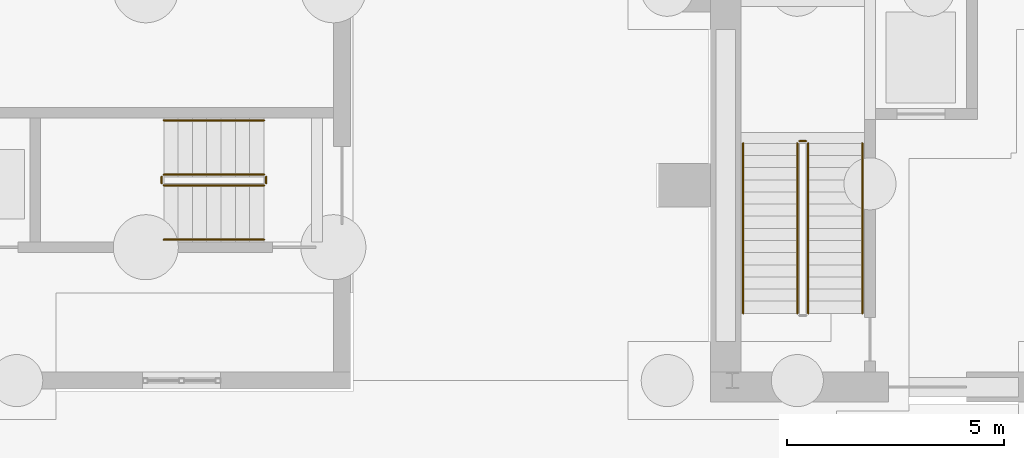
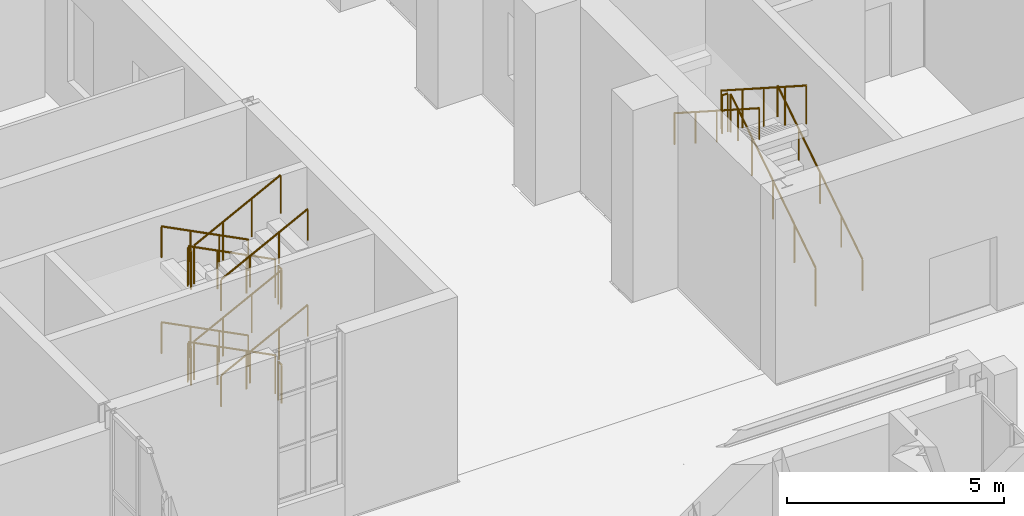
# One storey, part 146 of 168: 17 railings.
"""IFC4 building model written with IfcOpenShell, lengths in metres."""

from ifc_helpers import new_model, si_unit, direction, frame, origin, origin_2d, place, context, subcontext, project, spatial, circle, extrude, material, type_object, element, save


model = new_model("IFC4")

# Units and contexts
model_context = context("Model", 3, precision=1e-05, world=origin(), true_north=direction((0.0, 1.0)))
body_context = subcontext(model_context, "Body", "Model", "MODEL_VIEW")
ifc_project = project(units=[si_unit("LENGTHUNIT", "METRE"), si_unit("AREAUNIT", "SQUARE_METRE"), si_unit("VOLUMEUNIT", "CUBIC_METRE"), si_unit("PLANEANGLEUNIT", "RADIAN"), si_unit("MASSUNIT", "GRAM", prefix="KILO")], contexts=[model_context])

# Site, building, storey
site_placement = place(None, origin())
site = spatial("IfcSite", under=ifc_project, at=site_placement, CompositionType="ELEMENT")
building_placement = place(site_placement, origin())
building = spatial("IfcBuilding", under=site, at=building_placement, Name="Golden Quay Civic Hall", CompositionType="ELEMENT")
storey_placement = place(building_placement, origin())
storey = spatial("IfcBuildingStorey", under=building, at=storey_placement, Name="L00", CompositionType="ELEMENT", Elevation=0.0)

# Railings
ifc_material_1 = material(Name="Steel S355", Category="steel")
railing_type_1 = type_object("IfcRailingType", Name="Steel guard 1100", PredefinedType="GUARDRAIL", material=ifc_material_1)
railing_1_placement = place(storey_placement, frame((106.199951171875, 67.75, 0.168701171875)))
element("IfcRailing", 1, at=railing_1_placement, inside=storey, type_object=railing_type_1, Name="L00 CB-SE stair guard 1", PredefinedType="GUARDRAIL", context=body_context, shape_type="SweptSolid", body=[
    extrude(circle(Radius=0.02392578125, at=origin_2d()), frame((0.0, 0.0, 1.076171875), z_axis=(-0.89032534587, 0.0, 0.45532491531), x_axis=(0.0, -1.0, 0.0)), (0.0, 0.0, 1.0), 2.5947265625),
    extrude(circle(Radius=0.02099609375, at=origin_2d()), origin(), (0.0, 0.0, 1.0), 1.052001953125),
    extrude(circle(Radius=0.02099609375, at=origin_2d()), frame((-0.77001953125, 0.0, 0.393798828125)), (0.0, 0.0, 1.0), 1.052001953125),
    extrude(circle(Radius=0.02099609375, at=origin_2d()), frame((-1.5400390625, 0.0, 0.78759765625)), (0.0, 0.0, 1.0), 1.052001953125),
    extrude(circle(Radius=0.02099609375, at=origin_2d()), frame((-2.31005859375, 0.0, 1.181396484375)), (0.0, 0.0, 1.0), 1.052001953125),
])
railing_2_placement = place(storey_placement, frame((103.840087890625, 67.699951171875, 1.35009765625)))
element("IfcRailing", 2, at=railing_2_placement, inside=storey, type_object=railing_type_1, Name="L00 CB-SE stair guard 2", PredefinedType="GUARDRAIL", context=body_context, shape_type="SweptSolid", body=[
    extrude(circle(Radius=0.02392578125, at=origin_2d()), frame((0.0, 0.0, 1.076171875), z_axis=(0.0, -1.0, 0.0), x_axis=(1.0, 0.0, 0.0)), (0.0, 0.0, 1.0), 0.14990234375),
    extrude(circle(Radius=0.02099609375, at=origin_2d()), origin(), (0.0, 0.0, 1.0), 1.052001953125),
    extrude(circle(Radius=0.02099609375, at=origin_2d()), frame((0.0, -0.14990234375, 0.0)), (0.0, 0.0, 1.0), 1.052001953125),
])
railing_3_placement = place(storey_placement, frame((103.889892578125, 67.5, 1.518798828125)))
element("IfcRailing", 3, at=railing_3_placement, inside=storey, type_object=railing_type_1, Name="L00 CB-SE stair guard 3", PredefinedType="GUARDRAIL", context=body_context, shape_type="SweptSolid", body=[
    extrude(circle(Radius=0.02392578125, at=origin_2d()), frame((0.0, 0.0, 1.076171875), z_axis=(0.890363489232, 0.0, 0.455250323495), x_axis=(0.0, 1.0, 0.0)), (0.0, 0.0, 1.0), 2.594482421875),
    extrude(circle(Radius=0.02099609375, at=origin_2d()), origin(), (0.0, 0.0, 1.0), 1.052001953125),
    extrude(circle(Radius=0.02099609375, at=origin_2d()), frame((0.77001953125, 0.0, 0.393798828125)), (0.0, 0.0, 1.0), 1.052001953125),
    extrude(circle(Radius=0.02099609375, at=origin_2d()), frame((1.5400390625, 0.0, 0.787353515625)), (0.0, 0.0, 1.0), 1.052001953125),
    extrude(circle(Radius=0.02099609375, at=origin_2d()), frame((2.31005859375, 0.0, 1.18115234375)), (0.0, 0.0, 1.0), 1.052001953125),
])
railing_4_placement = place(storey_placement, frame((106.25, 67.699951171875, 2.699951171875)))
element("IfcRailing", 4, at=railing_4_placement, inside=storey, type_object=railing_type_1, Name="L00 CB-SE stair guard 4", PredefinedType="GUARDRAIL", context=body_context, shape_type="SweptSolid", body=[
    extrude(circle(Radius=0.02392578125, at=origin_2d()), frame((0.0, 0.0, 1.076171875), z_axis=(0.0, -1.0, 0.0), x_axis=(1.0, 0.0, 0.0)), (0.0, 0.0, 1.0), 0.14990234375),
    extrude(circle(Radius=0.02099609375, at=origin_2d()), origin(), (0.0, 0.0, 1.0), 1.052001953125),
    extrude(circle(Radius=0.02099609375, at=origin_2d()), frame((0.0, -0.14990234375, 0.0)), (0.0, 0.0, 1.0), 1.052001953125),
])
railing_5_placement = place(storey_placement, frame((106.199951171875, 67.75, 2.86865234375)))
element("IfcRailing", 5, at=railing_5_placement, inside=storey, type_object=railing_type_1, Name="L00 CB-SE stair guard 5", PredefinedType="GUARDRAIL", context=body_context, shape_type="SweptSolid", body=[
    extrude(circle(Radius=0.02392578125, at=origin_2d()), frame((0.0, 0.0, 1.076171875), z_axis=(-0.89032534587, 0.0, 0.45532491531), x_axis=(0.0, -1.0, 0.0)), (0.0, 0.0, 1.0), 2.5947265625),
    extrude(circle(Radius=0.02099609375, at=origin_2d()), origin(), (0.0, 0.0, 1.0), 1.052001953125),
    extrude(circle(Radius=0.02099609375, at=origin_2d()), frame((-0.77001953125, 0.0, 0.393798828125)), (0.0, 0.0, 1.0), 1.052001953125),
    extrude(circle(Radius=0.02099609375, at=origin_2d()), frame((-1.5400390625, 0.0, 0.78759765625)), (0.0, 0.0, 1.0), 1.052001953125),
    extrude(circle(Radius=0.02099609375, at=origin_2d()), frame((-2.31005859375, 0.0, 1.181396484375)), (0.0, 0.0, 1.0), 1.052001953125),
])
railing_6_placement = place(storey_placement, frame((103.840087890625, 67.699951171875, 4.050048828125)))
element("IfcRailing", 6, at=railing_6_placement, inside=storey, type_object=railing_type_1, Name="L00 CB-SE stair guard 6", PredefinedType="GUARDRAIL", context=body_context, shape_type="SweptSolid", body=[
    extrude(circle(Radius=0.02392578125, at=origin_2d()), frame((0.0, 0.0, 1.076171875), z_axis=(0.0, -1.0, 0.0), x_axis=(1.0, 0.0, 0.0)), (0.0, 0.0, 1.0), 0.14990234375),
    extrude(circle(Radius=0.02099609375, at=origin_2d()), origin(), (0.0, 0.0, 1.0), 1.052001953125),
    extrude(circle(Radius=0.02099609375, at=origin_2d()), frame((0.0, -0.14990234375, 0.0)), (0.0, 0.0, 1.0), 1.052001953125),
])
railing_7_placement = place(storey_placement, frame((103.889892578125, 67.5, 4.21875)))
element("IfcRailing", 7, at=railing_7_placement, inside=storey, type_object=railing_type_1, Name="L00 CB-SE stair guard 7", PredefinedType="GUARDRAIL", context=body_context, shape_type="SweptSolid", body=[
    extrude(circle(Radius=0.02392578125, at=origin_2d()), frame((0.0, 0.0, 1.076171875), z_axis=(0.890363489232, 0.0, 0.455250323495), x_axis=(0.0, 1.0, 0.0)), (0.0, 0.0, 1.0), 2.594482421875),
    extrude(circle(Radius=0.02099609375, at=origin_2d()), origin(), (0.0, 0.0, 1.0), 1.052001953125),
    extrude(circle(Radius=0.02099609375, at=origin_2d()), frame((0.77001953125, 0.0, 0.393798828125)), (0.0, 0.0, 1.0), 1.052001953125),
    extrude(circle(Radius=0.02099609375, at=origin_2d()), frame((1.5400390625, 0.0, 0.787353515625)), (0.0, 0.0, 1.0), 1.052001953125),
    extrude(circle(Radius=0.02099609375, at=origin_2d()), frame((2.31005859375, 0.0, 1.18115234375)), (0.0, 0.0, 1.0), 1.052001953125),
])
railing_8_placement = place(storey_placement, frame((106.25, 67.699951171875, 0.0)))
element("IfcRailing", 8, at=railing_8_placement, inside=storey, type_object=railing_type_1, Name="L00 CB-SE stair guard 8", PredefinedType="GUARDRAIL", context=body_context, shape_type="SweptSolid", body=[
    extrude(circle(Radius=0.02392578125, at=origin_2d()), frame((0.0, 0.0, 1.076171875), z_axis=(0.0, -1.0, 0.0), x_axis=(1.0, 0.0, 0.0)), (0.0, 0.0, 1.0), 0.14990234375),
    extrude(circle(Radius=0.02099609375, at=origin_2d()), origin(), (0.0, 0.0, 1.0), 1.052001953125),
    extrude(circle(Radius=0.02099609375, at=origin_2d()), frame((0.0, -0.14990234375, 0.0)), (0.0, 0.0, 1.0), 1.052001953125),
])
railing_9_placement = place(storey_placement, frame((118.75, 64.550048828125, 0.179931640625)))
element("IfcRailing", 9, at=railing_9_placement, inside=storey, type_object=railing_type_1, Name="L00 LB-STW stair guard 1", PredefinedType="GUARDRAIL", context=body_context, shape_type="SweptSolid", body=[
    extrude(circle(Radius=0.02392578125, at=origin_2d()), frame((0.0, 0.0, 1.076171875), z_axis=(0.0, 0.841171666519, 0.540768182723), x_axis=(-1.0, 0.0, 0.0)), (0.0, 0.0, 1.0), 4.66015625),
    extrude(circle(Radius=0.02099609375, at=origin_2d()), origin(), (0.0, 0.0, 1.0), 1.052001953125),
    extrude(circle(Radius=0.02099609375, at=origin_2d()), frame((0.0, 0.97998046875, 0.6298828125)), (0.0, 0.0, 1.0), 1.052001953125),
    extrude(circle(Radius=0.02099609375, at=origin_2d()), frame((0.0, 1.9599609375, 1.260009765625)), (0.0, 0.0, 1.0), 1.052001953125),
    extrude(circle(Radius=0.02099609375, at=origin_2d()), frame((0.0, 2.93994140625, 1.89013671875)), (0.0, 0.0, 1.0), 1.052001953125),
    extrude(circle(Radius=0.02099609375, at=origin_2d()), frame((0.0, 3.919921875, 2.52001953125)), (0.0, 0.0, 1.0), 1.052001953125),
])
railing_10_placement = place(storey_placement, frame((118.699951171875, 68.52001953125, 2.699951171875)))
element("IfcRailing", 10, at=railing_10_placement, inside=storey, type_object=railing_type_1, Name="L00 LB-STW stair guard 2", PredefinedType="GUARDRAIL", context=body_context, shape_type="SweptSolid", body=[
    extrude(circle(Radius=0.02392578125, at=origin_2d()), frame((0.0, 0.0, 1.076171875), z_axis=(-1.0, 0.0, 0.0), x_axis=(0.0, -1.0, 0.0)), (0.0, 0.0, 1.0), 0.14990234375),
    extrude(circle(Radius=0.02099609375, at=origin_2d()), origin(), (0.0, 0.0, 1.0), 1.052001953125),
    extrude(circle(Radius=0.02099609375, at=origin_2d()), frame((-0.14990234375, 0.0, 0.0)), (0.0, 0.0, 1.0), 1.052001953125),
])
railing_11_placement = place(storey_placement, frame((118.5, 68.469970703125, 2.8798828125)))
element("IfcRailing", 11, at=railing_11_placement, inside=storey, type_object=railing_type_1, Name="L00 LB-STW stair guard 3", PredefinedType="GUARDRAIL", context=body_context, shape_type="SweptSolid", body=[
    extrude(circle(Radius=0.02392578125, at=origin_2d()), frame((0.0, 0.0, 1.076171875), z_axis=(0.0, -0.841171666519, 0.540768182723), x_axis=(1.0, 0.0, 0.0)), (0.0, 0.0, 1.0), 4.66015625),
    extrude(circle(Radius=0.02099609375, at=origin_2d()), origin(), (0.0, 0.0, 1.0), 1.052001953125),
    extrude(circle(Radius=0.02099609375, at=origin_2d()), frame((0.0, -0.97998046875, 0.6298828125)), (0.0, 0.0, 1.0), 1.052001953125),
    extrude(circle(Radius=0.02099609375, at=origin_2d()), frame((0.0, -1.9599609375, 1.260009765625)), (0.0, 0.0, 1.0), 1.052001953125),
    extrude(circle(Radius=0.02099609375, at=origin_2d()), frame((0.0, -2.93994140625, 1.89013671875)), (0.0, 0.0, 1.0), 1.052001953125),
    extrude(circle(Radius=0.02099609375, at=origin_2d()), frame((0.0, -3.919921875, 2.52001953125)), (0.0, 0.0, 1.0), 1.052001953125),
])
ifc_material_2 = material(Name="Steel S355", Category="steel")
railing_type_2 = type_object("IfcRailingType", Name="Steel handrail 900", PredefinedType="HANDRAIL", material=ifc_material_2)
railing_12_placement = place(storey_placement, frame((106.199951171875, 69.0, 0.168701171875)))
element("IfcRailing", 12, at=railing_12_placement, inside=storey, type_object=railing_type_2, Name="L00 CB-SE stair handrail 1", PredefinedType="HANDRAIL", context=body_context, shape_type="SweptSolid", body=[
    extrude(circle(Radius=0.02392578125, at=origin_2d()), frame((0.0, 0.0, 0.8759765625), z_axis=(-0.89032534587, 0.0, 0.45532491531), x_axis=(0.0, -1.0, 0.0)), (0.0, 0.0, 1.0), 2.5947265625),
    extrude(circle(Radius=0.02099609375, at=origin_2d()), origin(), (0.0, 0.0, 1.0), 0.851806640625),
    extrude(circle(Radius=0.02099609375, at=origin_2d()), frame((-0.77001953125, 0.0, 0.393798828125)), (0.0, 0.0, 1.0), 0.851806640625),
    extrude(circle(Radius=0.02099609375, at=origin_2d()), frame((-1.5400390625, 0.0, 0.78759765625)), (0.0, 0.0, 1.0), 0.851806640625),
    extrude(circle(Radius=0.02099609375, at=origin_2d()), frame((-2.31005859375, 0.0, 1.181396484375)), (0.0, 0.0, 1.0), 0.851806640625),
])
railing_13_placement = place(storey_placement, frame((103.889892578125, 66.25, 1.518798828125)))
element("IfcRailing", 13, at=railing_13_placement, inside=storey, type_object=railing_type_2, Name="L00 CB-SE stair handrail 2", PredefinedType="HANDRAIL", context=body_context, shape_type="SweptSolid", body=[
    extrude(circle(Radius=0.02392578125, at=origin_2d()), frame((0.0, 0.0, 0.8759765625), z_axis=(0.890363489232, 0.0, 0.455250323495), x_axis=(0.0, 1.0, 0.0)), (0.0, 0.0, 1.0), 2.594482421875),
    extrude(circle(Radius=0.02099609375, at=origin_2d()), origin(), (0.0, 0.0, 1.0), 0.851806640625),
    extrude(circle(Radius=0.02099609375, at=origin_2d()), frame((0.77001953125, 0.0, 0.393798828125)), (0.0, 0.0, 1.0), 0.851806640625),
    extrude(circle(Radius=0.02099609375, at=origin_2d()), frame((1.5400390625, 0.0, 0.787353515625)), (0.0, 0.0, 1.0), 0.851806640625),
    extrude(circle(Radius=0.02099609375, at=origin_2d()), frame((2.31005859375, 0.0, 1.18115234375)), (0.0, 0.0, 1.0), 0.851806640625),
])
railing_14_placement = place(storey_placement, frame((106.199951171875, 69.0, 2.86865234375)))
element("IfcRailing", 14, at=railing_14_placement, inside=storey, type_object=railing_type_2, Name="L00 CB-SE stair handrail 3", PredefinedType="HANDRAIL", context=body_context, shape_type="SweptSolid", body=[
    extrude(circle(Radius=0.02392578125, at=origin_2d()), frame((0.0, 0.0, 0.8759765625), z_axis=(-0.89032534587, 0.0, 0.45532491531), x_axis=(0.0, -1.0, 0.0)), (0.0, 0.0, 1.0), 2.5947265625),
    extrude(circle(Radius=0.02099609375, at=origin_2d()), origin(), (0.0, 0.0, 1.0), 0.851806640625),
    extrude(circle(Radius=0.02099609375, at=origin_2d()), frame((-0.77001953125, 0.0, 0.393798828125)), (0.0, 0.0, 1.0), 0.851806640625),
    extrude(circle(Radius=0.02099609375, at=origin_2d()), frame((-1.5400390625, 0.0, 0.78759765625)), (0.0, 0.0, 1.0), 0.851806640625),
    extrude(circle(Radius=0.02099609375, at=origin_2d()), frame((-2.31005859375, 0.0, 1.181396484375)), (0.0, 0.0, 1.0), 0.851806640625),
])
railing_15_placement = place(storey_placement, frame((103.889892578125, 66.25, 4.21875)))
element("IfcRailing", 15, at=railing_15_placement, inside=storey, type_object=railing_type_2, Name="L00 CB-SE stair handrail 4", PredefinedType="HANDRAIL", context=body_context, shape_type="SweptSolid", body=[
    extrude(circle(Radius=0.02392578125, at=origin_2d()), frame((0.0, 0.0, 0.8759765625), z_axis=(0.890363489232, 0.0, 0.455250323495), x_axis=(0.0, 1.0, 0.0)), (0.0, 0.0, 1.0), 2.594482421875),
    extrude(circle(Radius=0.02099609375, at=origin_2d()), origin(), (0.0, 0.0, 1.0), 0.851806640625),
    extrude(circle(Radius=0.02099609375, at=origin_2d()), frame((0.77001953125, 0.0, 0.393798828125)), (0.0, 0.0, 1.0), 0.851806640625),
    extrude(circle(Radius=0.02099609375, at=origin_2d()), frame((1.5400390625, 0.0, 0.787353515625)), (0.0, 0.0, 1.0), 0.851806640625),
    extrude(circle(Radius=0.02099609375, at=origin_2d()), frame((2.31005859375, 0.0, 1.18115234375)), (0.0, 0.0, 1.0), 0.851806640625),
])
railing_16_placement = place(storey_placement, frame((120.0, 64.550048828125, 0.179931640625)))
element("IfcRailing", 16, at=railing_16_placement, inside=storey, type_object=railing_type_2, Name="L00 LB-STW stair handrail 1", PredefinedType="HANDRAIL", context=body_context, shape_type="SweptSolid", body=[
    extrude(circle(Radius=0.02392578125, at=origin_2d()), frame((0.0, 0.0, 0.8759765625), z_axis=(0.0, 0.841171666519, 0.540768182723), x_axis=(-1.0, 0.0, 0.0)), (0.0, 0.0, 1.0), 4.66015625),
    extrude(circle(Radius=0.02099609375, at=origin_2d()), origin(), (0.0, 0.0, 1.0), 0.851806640625),
    extrude(circle(Radius=0.02099609375, at=origin_2d()), frame((0.0, 0.97998046875, 0.6298828125)), (0.0, 0.0, 1.0), 0.851806640625),
    extrude(circle(Radius=0.02099609375, at=origin_2d()), frame((0.0, 1.9599609375, 1.260009765625)), (0.0, 0.0, 1.0), 0.851806640625),
    extrude(circle(Radius=0.02099609375, at=origin_2d()), frame((0.0, 2.93994140625, 1.89013671875)), (0.0, 0.0, 1.0), 0.851806640625),
    extrude(circle(Radius=0.02099609375, at=origin_2d()), frame((0.0, 3.919921875, 2.52001953125)), (0.0, 0.0, 1.0), 0.851806640625),
])
railing_17_placement = place(storey_placement, frame((117.25, 68.469970703125, 2.8798828125)))
element("IfcRailing", 17, at=railing_17_placement, inside=storey, type_object=railing_type_2, Name="L00 LB-STW stair handrail 2", PredefinedType="HANDRAIL", context=body_context, shape_type="SweptSolid", body=[
    extrude(circle(Radius=0.02392578125, at=origin_2d()), frame((0.0, 0.0, 0.8759765625), z_axis=(0.0, -0.841171666519, 0.540768182723), x_axis=(1.0, 0.0, 0.0)), (0.0, 0.0, 1.0), 4.66015625),
    extrude(circle(Radius=0.02099609375, at=origin_2d()), origin(), (0.0, 0.0, 1.0), 0.851806640625),
    extrude(circle(Radius=0.02099609375, at=origin_2d()), frame((0.0, -0.97998046875, 0.6298828125)), (0.0, 0.0, 1.0), 0.851806640625),
    extrude(circle(Radius=0.02099609375, at=origin_2d()), frame((0.0, -1.9599609375, 1.260009765625)), (0.0, 0.0, 1.0), 0.851806640625),
    extrude(circle(Radius=0.02099609375, at=origin_2d()), frame((0.0, -2.93994140625, 1.89013671875)), (0.0, 0.0, 1.0), 0.851806640625),
    extrude(circle(Radius=0.02099609375, at=origin_2d()), frame((0.0, -3.919921875, 2.52001953125)), (0.0, 0.0, 1.0), 0.851806640625),
])

save(model, "model.ifc")
